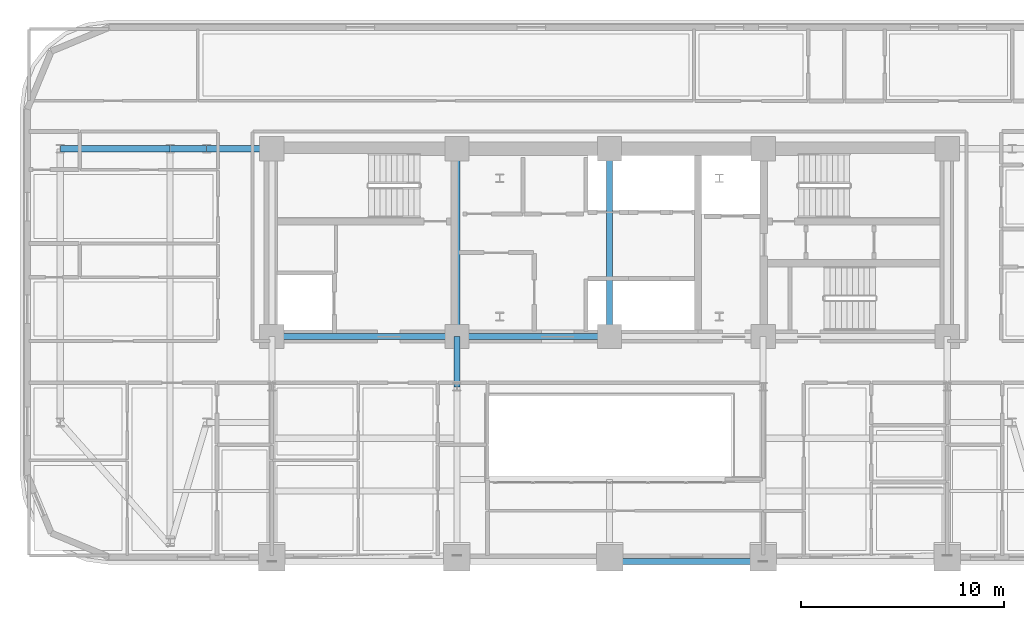
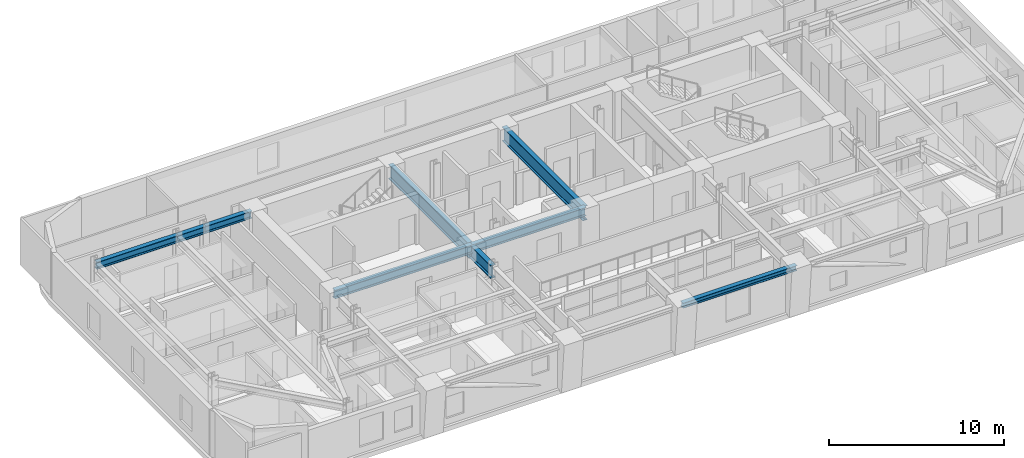
# One storey, part 4 of 16: 9 beams.
"""IFC4 building model written with IfcOpenShell, lengths in metres."""

from ifc_helpers import new_model, si_unit, direction, frame, origin, origin_2d, place, context, subcontext, project, spatial, i_section, extrude, material, material_profile, profile_set, type_object, element, save


model = new_model("IFC4")

# Units and contexts
model_context = context("Model", 3, precision=1e-05, world=origin(), true_north=direction((0.0, 1.0)))
body_context = subcontext(model_context, "Body", "Model", "MODEL_VIEW")
ifc_project = project(units=[si_unit("LENGTHUNIT", "METRE"), si_unit("AREAUNIT", "SQUARE_METRE"), si_unit("VOLUMEUNIT", "CUBIC_METRE"), si_unit("PLANEANGLEUNIT", "RADIAN"), si_unit("MASSUNIT", "GRAM", prefix="KILO")], contexts=[model_context])

# Site, building, storey
site_placement = place(None, origin())
site = spatial("IfcSite", under=ifc_project, at=site_placement, CompositionType="ELEMENT")
building_placement = place(site_placement, origin())
building = spatial("IfcBuilding", under=site, at=building_placement, Name="Zarnavel Station Tower", CompositionType="ELEMENT")
storey_placement = place(building_placement, frame((0.0, 0.0, 101.300048828125)))
storey = spatial("IfcBuildingStorey", under=building, at=storey_placement, Name="L27", CompositionType="ELEMENT", Elevation=101.300048828125)

# Beams
ifc_material_1 = material(Name="Steel S355J2", Category="steel")
ifc_material_profile_1 = material_profile(ifc_material_1, i_section(OverallWidth=0.300048828125, OverallDepth=0.360107421875, WebThickness=0.012451171875, FlangeThickness=0.0224609375, FilletRadius=0.027099609375, at=origin_2d()), Name="HEB360")
ifc_profile_set_1 = profile_set([ifc_material_profile_1], Name="Steel S355J2")
beam_type_1 = type_object("IfcBeamType", Name="EB_HEB360", PredefinedType="SPANDREL", material=ifc_profile_set_1)
beam_1_placement = place(storey_placement, frame((28.800048828125, 16.754638671875, 3.06005859375), z_axis=(1.0, 0.0, 0.0), x_axis=(0.0, 1.0, 0.0)))
element("IfcBeam", 1, at=beam_1_placement, inside=storey, type_object=beam_type_1, Name="L27 South Raked Spandrel 3", PredefinedType="SPANDREL", context=body_context, shape_type="SweptSolid", body=[
    extrude(i_section(OverallWidth=0.300048828125, OverallDepth=0.360107421875, WebThickness=0.012451171875, FlangeThickness=0.0224609375, FilletRadius=0.027099609375, at=origin_2d()), origin(), (0.0, 0.0, 1.0), 7.550048828125),
])
ifc_material_2 = material(Name="Steel S355J2", Category="steel")
ifc_material_profile_2 = material_profile(ifc_material_2, i_section(OverallWidth=0.300048828125, OverallDepth=0.5, WebThickness=0.014404296875, FlangeThickness=0.028076171875, FilletRadius=0.027099609375, at=origin_2d()), Name="HEB500")
ifc_profile_set_2 = profile_set([ifc_material_profile_2], Name="Steel S355J2")
beam_type_2 = type_object("IfcBeamType", Name="FG_HEB500", PredefinedType="USERDEFINED", material=ifc_profile_set_2)
beam_2_placement = place(storey_placement, frame((1.800048828125, 37.050048828125, 2.989990234375), z_axis=(1.0, 0.0, 0.0), x_axis=(0.0, 1.0, 0.0)))
element("IfcBeam", 2, at=beam_2_placement, inside=storey, type_object=beam_type_2, Name="L27 West Wing North Tie 1", ObjectType="GIRDER", PredefinedType="USERDEFINED", context=body_context, shape_type="SweptSolid", body=[
    extrude(i_section(OverallWidth=0.300048828125, OverallDepth=0.5, WebThickness=0.014404296875, FlangeThickness=0.028076171875, FilletRadius=0.027099609375, at=origin_2d()), origin(), (0.0, 0.0, 1.0), 5.39990234375),
])
beam_3_placement = place(storey_placement, frame((7.199951171875, 37.050048828125, 2.989990234375), z_axis=(1.0, 0.0, 0.0), x_axis=(0.0, 1.0, 0.0)))
element("IfcBeam", 3, at=beam_3_placement, inside=storey, type_object=beam_type_2, Name="L27 West Wing North Tie 2", ObjectType="GIRDER", PredefinedType="USERDEFINED", context=body_context, shape_type="SweptSolid", body=[
    extrude(i_section(OverallWidth=0.300048828125, OverallDepth=0.5, WebThickness=0.014404296875, FlangeThickness=0.028076171875, FilletRadius=0.027099609375, at=origin_2d()), origin(), (0.0, 0.0, 1.0), 1.800048828125),
])
beam_4_placement = place(storey_placement, frame((9.0, 37.050048828125, 2.989990234375), z_axis=(1.0, 0.0, 0.0), x_axis=(0.0, 1.0, 0.0)))
element("IfcBeam", 4, at=beam_4_placement, inside=storey, type_object=beam_type_2, Name="L27 West Wing North Tie 3", ObjectType="GIRDER", PredefinedType="USERDEFINED", context=body_context, shape_type="SweptSolid", body=[
    extrude(i_section(OverallWidth=0.300048828125, OverallDepth=0.5, WebThickness=0.014404296875, FlangeThickness=0.028076171875, FilletRadius=0.027099609375, at=origin_2d()), origin(), (0.0, 0.0, 1.0), 3.054931640625),
])
ifc_material_3 = material(Name="Steel S355J2", Category="steel")
ifc_material_profile_3 = material_profile(ifc_material_3, i_section(OverallWidth=0.300048828125, OverallDepth=0.60009765625, WebThickness=0.015380859375, FlangeThickness=0.030029296875, FilletRadius=0.027099609375, at=origin_2d()), Name="HEB600")
ifc_profile_set_3 = profile_set([ifc_material_profile_3], Name="Steel S355J2")
beam_type_3 = type_object("IfcBeamType", Name="FG_HEB600", PredefinedType="USERDEFINED", material=ifc_profile_set_3)
beam_5_placement = place(storey_placement, frame((12.199951171875, 27.820068359375, 2.93994140625), z_axis=(1.0, 0.0, 0.0), x_axis=(0.0, 1.0, 0.0)))
element("IfcBeam", 5, at=beam_5_placement, inside=storey, type_object=beam_type_3, Name="L27 Core Front Coupling Beam 1", ObjectType="GIRDER", PredefinedType="USERDEFINED", context=body_context, shape_type="SweptSolid", body=[
    extrude(i_section(OverallWidth=0.300048828125, OverallDepth=0.60009765625, WebThickness=0.015380859375, FlangeThickness=0.030029296875, FilletRadius=0.027099609375, at=origin_2d()), origin(), (0.0, 0.0, 1.0), 9.10009765625),
])
beam_6_placement = place(storey_placement, frame((21.300048828125, 27.820068359375, 2.93994140625), z_axis=(1.0, 0.0, 0.0), x_axis=(0.0, 1.0, 0.0)))
element("IfcBeam", 6, at=beam_6_placement, inside=storey, type_object=beam_type_3, Name="L27 Core Front Coupling Beam 2", ObjectType="GIRDER", PredefinedType="USERDEFINED", context=body_context, shape_type="SweptSolid", body=[
    extrude(i_section(OverallWidth=0.300048828125, OverallDepth=0.60009765625, WebThickness=0.015380859375, FlangeThickness=0.030029296875, FilletRadius=0.027099609375, at=origin_2d()), origin(), (0.0, 0.0, 1.0), 7.5),
])
ifc_material_4 = material(Name="Steel S460M", Category="steel")
ifc_material_profile_4 = material_profile(ifc_material_4, i_section(OverallWidth=0.302001953125, OverallDepth=1.008056640625, WebThickness=0.02099609375, FlangeThickness=0.0400390625, FilletRadius=0.030029296875, at=origin_2d()), Name="HEM1000")
ifc_profile_set_4 = profile_set([ifc_material_profile_4], Name="Steel S460M")
beam_type_4 = type_object("IfcBeamType", Name="TG_HEM1000", PredefinedType="USERDEFINED", material=ifc_profile_set_4)
for number, where, z_axis, x_axis, name in (
    (7, (21.300048828125, 27.820068359375, 2.73583984375), (0.0, 1.0, 0.0), (-1.0, 0.0, 0.0), "L27 Core Spine Coupling Girder 2"),
    (8, (28.800048828125, 27.820068359375, 2.73583984375), (0.0, 1.0, 0.0), (-1.0, 0.0, 0.0), "L27 Core Spine Coupling Girder 3"),
):
    element("IfcBeam", number, at=place(storey_placement, frame(where, z_axis=z_axis, x_axis=x_axis)), inside=storey, type_object=beam_type_4, Name=name, ObjectType="GIRDER", PredefinedType="USERDEFINED", context=body_context, shape_type="SweptSolid", body=[
        extrude(i_section(OverallWidth=0.302001953125, OverallDepth=1.008056640625, WebThickness=0.02099609375, FlangeThickness=0.0400390625, FilletRadius=0.030029296875, at=origin_2d()), origin(), (0.0, 0.0, 1.0), 9.22998046875),
    ])
ifc_material_5 = material(Name="Steel S460M", Category="steel")
ifc_material_profile_5 = material_profile(ifc_material_5, i_section(OverallWidth=0.302001953125, OverallDepth=0.909912109375, WebThickness=0.02099609375, FlangeThickness=0.0400390625, FilletRadius=0.030029296875, at=origin_2d()), Name="HEM900")
ifc_profile_set_5 = profile_set([ifc_material_profile_5], Name="Steel S460M")
beam_type_5 = type_object("IfcBeamType", Name="TG_HEM900", PredefinedType="USERDEFINED", material=ifc_profile_set_5)
beam_7_placement = place(storey_placement, frame((21.300048828125, 25.35009765625, 2.784912109375), z_axis=(0.0, 1.0, 0.0), x_axis=(-1.0, 0.0, 0.0)))
element("IfcBeam", 9, at=beam_7_placement, inside=storey, type_object=beam_type_5, Name="L27 Inner-Zone NS Girder 2", ObjectType="GIRDER", PredefinedType="USERDEFINED", context=body_context, shape_type="SweptSolid", body=[
    extrude(i_section(OverallWidth=0.302001953125, OverallDepth=0.909912109375, WebThickness=0.02099609375, FlangeThickness=0.0400390625, FilletRadius=0.030029296875, at=origin_2d()), origin(), (0.0, 0.0, 1.0), 2.469970703125),
])

save(model, "model.ifc")
